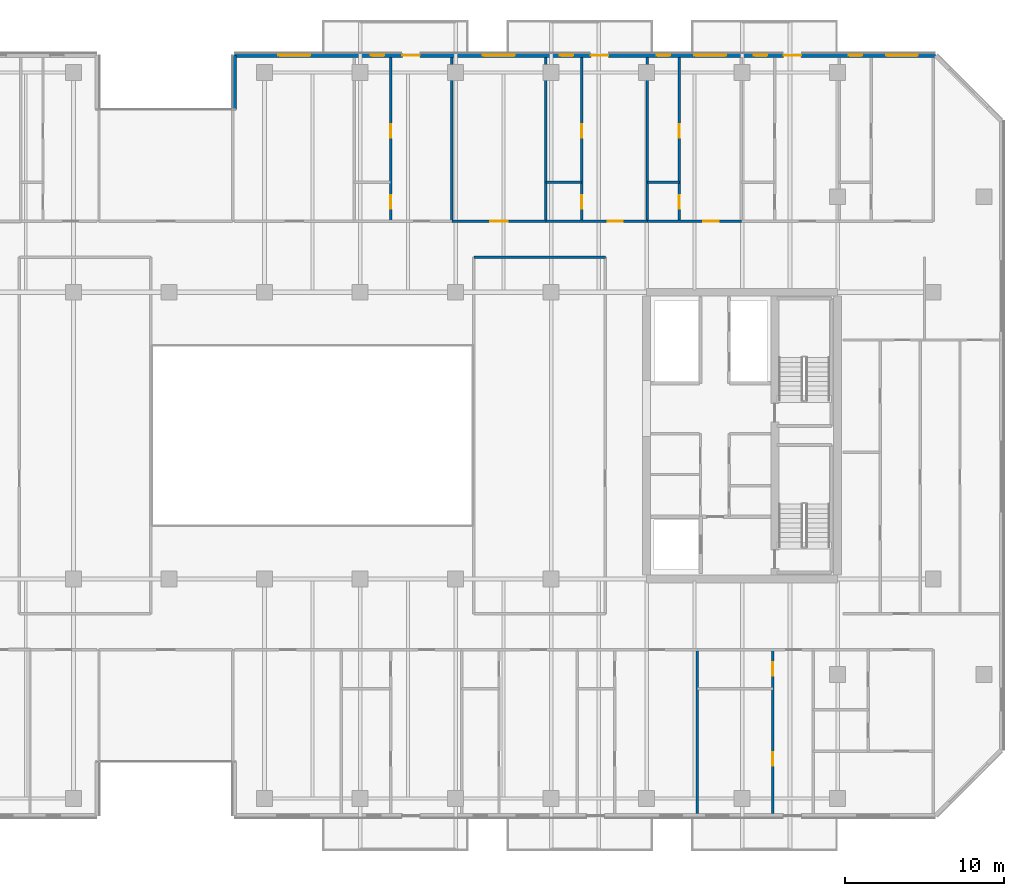
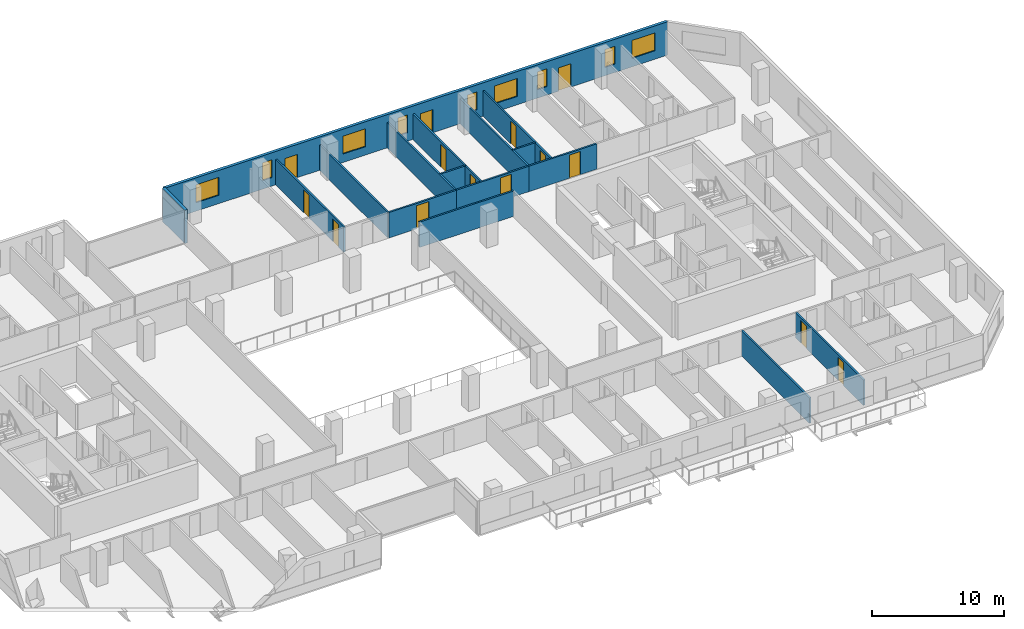
# One storey, part 14 of 23: 16 walls, 14 doors, 9 windows, 23 openings.
"""IFC4 building model written with IfcOpenShell, lengths in metres."""

from ifc_helpers import new_model, si_unit, direction, frame, frame_2d, origin, place, context, subcontext, project, spatial, rectangle, extrude, material, layer, layer_set, type_object, element, fill, save


model = new_model("IFC4")

# Units and contexts
model_context = context("Model", 3, precision=1e-05, world=origin(), true_north=direction((0.0, 1.0)))
body_context = subcontext(model_context, "Body", "Model", "MODEL_VIEW")
ifc_project = project(units=[si_unit("LENGTHUNIT", "METRE"), si_unit("AREAUNIT", "SQUARE_METRE"), si_unit("VOLUMEUNIT", "CUBIC_METRE"), si_unit("PLANEANGLEUNIT", "RADIAN"), si_unit("MASSUNIT", "GRAM", prefix="KILO")], contexts=[model_context])

# Site, building, storey
site_placement = place(None, origin())
site = spatial("IfcSite", under=ifc_project, at=site_placement, CompositionType="ELEMENT")
building_placement = place(site_placement, origin())
building = spatial("IfcBuilding", under=site, at=building_placement, Name="Tanjung Sevakor Pilgrim Tower", CompositionType="ELEMENT")
storey_placement = place(building_placement, frame((0.0, 0.0, 98.669921875)))
storey = spatial("IfcBuildingStorey", under=building, at=storey_placement, Name="L27", CompositionType="ELEMENT", Elevation=98.669921875)

# Walls
ifc_material_1 = material(Name="Concrete C40/50", Category="concrete")
ifc_layer_1 = layer(ifc_material_1, 0.14990234375)
ifc_layer_set_1 = layer_set([ifc_layer_1], Name="WT-COMP-150")
wall_type_1 = type_object("IfcWallType", Name="WT-COMP-150", PredefinedType="SOLIDWALL", material=ifc_layer_set_1)
wall_1_placement = place(storey_placement, frame((67.14990234375, 44.800048828125, 0.0), z_axis=(0.0, 0.0, 1.0), x_axis=(1.0, 0.0, 0.0)))
element("IfcWall", 1, at=wall_1_placement, inside=storey, type_object=wall_type_1, Name="L27 Partition IW-L27-030", PredefinedType="SOLIDWALL", context=body_context, shape_type="SweptSolid", body=[
    extrude(rectangle(XDim=8.25, YDim=0.14990234375, at=frame_2d((4.125, 0.0))), origin(), (0.0, 0.0, 1.0), 2.35009765625),
])
wall_2_placement = place(storey_placement, frame((81.18701171875, 9.85009765625, 0.0), z_axis=(0.0, 0.0, 1.0), x_axis=(0.0, 1.0, 0.0)))
element("IfcWall", 2, at=wall_2_placement, inside=storey, type_object=wall_type_1, Name="L27 Partition IW-L27-068", PredefinedType="SOLIDWALL", context=body_context, shape_type="SweptSolid", body=[
    extrude(rectangle(XDim=10.2998046875, YDim=0.14990234375, at=frame_2d((5.14990234375, 0.0))), origin(), (0.0, 0.0, 1.0), 2.35009765625),
])
for number, where, z_axis, x_axis, name in (
    (3, (65.761474609375, 47.050048828125, 0.0), (0.0, 0.0, 1.0), (0.0, 1.0, 0.0), "L27 Partition IW-L27-095"),
    (4, (71.6728515625, 47.050048828125, 0.0), (0.0, 0.0, 1.0), (0.0, 1.0, 0.0), "L27 Partition IW-L27-099"),
):
    element("IfcWall", number, at=place(storey_placement, frame(where, z_axis=z_axis, x_axis=x_axis)), inside=storey, type_object=wall_type_1, Name=name, PredefinedType="SOLIDWALL", context=body_context, shape_type="SweptSolid", body=[
        extrude(rectangle(XDim=10.300048828125, YDim=0.14990234375, at=frame_2d((5.14990234375, 0.0))), origin(), (0.0, 0.0, 1.0), 2.35009765625),
    ])

# Wall, opening, door
wall_3_placement = place(storey_placement, frame((65.761474609375, 47.050048828125, 0.0), z_axis=(0.0, 0.0, 1.0), x_axis=(1.0, 0.0, 0.0)))
wall_3 = element("IfcWall", 5, at=wall_3_placement, inside=storey, type_object=wall_type_1, Name="L27 Partition IW-L27-100", PredefinedType="SOLIDWALL", context=body_context, shape_type="SweptSolid", body=[
    extrude(rectangle(XDim=5.911376953125, YDim=0.14990234375, at=frame_2d((2.95556640625, 0.0))), origin(), (0.0, 0.0, 1.0), 2.35009765625),
])
opening_1_placement = place(wall_3_placement, frame((2.405517578125, 0.0, 0.0)))
opening_1 = element("IfcOpeningElement", 6, at=opening_1_placement, cuts=wall_3, Name="Opening ID-FD0", PredefinedType="OPENING", context=body_context, shape_type="SweptSolid", body=[
    extrude(rectangle(XDim=1.10009765625, YDim=2.14990234375, at=frame_2d((0.550048828125, 1.074951171875))), frame((0.0, 0.0849609375, 0.0), z_axis=(0.0, -1.0, 0.0), x_axis=(1.0, 0.0, 0.0)), (0.0, 0.0, 1.0), 0.169921875),
])
ifc_material_2 = material(Name="Fire-Rated Steel S355J2", Category="steel")
door_type_1 = type_object("IfcDoorType", Name="DT-FIRE-1100", OperationType="NOTDEFINED", PredefinedType="DOOR", material=ifc_material_2)
door_1_placement = place(opening_1_placement, origin())
door_1 = element("IfcDoor", 7, at=door_1_placement, inside=storey, type_object=door_type_1, Name="Communal Lounge Door", OperationType="SINGLE_SWING_LEFT", OverallHeight=2.14990234375, OverallWidth=1.10009765625, PredefinedType="DOOR", context=body_context, shape_type="SweptSolid", body=[
    extrude(rectangle(XDim=1.10009765625, YDim=2.14990234375, at=frame_2d((0.550048828125, 1.074951171875))), frame((0.0, 0.02490234375, 0.0), z_axis=(0.0, -1.0, 0.0), x_axis=(1.0, 0.0, 0.0)), (0.0, 0.0, 1.0), 0.050048828125),
])
fill(opening_1, door_1)

# Wall
wall_4_placement = place(storey_placement, frame((78.038818359375, 47.050048828125, 0.0), z_axis=(0.0, 0.0, 1.0), x_axis=(0.0, 1.0, 0.0)))
element("IfcWall", 8, at=wall_4_placement, inside=storey, type_object=wall_type_1, Name="L27 Partition IW-L27-101", PredefinedType="SOLIDWALL", context=body_context, shape_type="SweptSolid", body=[
    extrude(rectangle(XDim=10.300048828125, YDim=0.14990234375, at=frame_2d((5.14990234375, 0.0))), origin(), (0.0, 0.0, 1.0), 2.35009765625),
])

# Wall, opening, door
wall_5_placement = place(storey_placement, frame((71.6728515625, 47.050048828125, 0.0), z_axis=(0.0, 0.0, 1.0), x_axis=(1.0, 0.0, 0.0)))
wall_5 = element("IfcWall", 9, at=wall_5_placement, inside=storey, type_object=wall_type_1, Name="L27 Partition IW-L27-104", PredefinedType="SOLIDWALL", context=body_context, shape_type="SweptSolid", body=[
    extrude(rectangle(XDim=6.365966796875, YDim=0.14990234375, at=frame_2d((3.18310546875, 0.0))), origin(), (0.0, 0.0, 1.0), 2.35009765625),
])
opening_2_placement = place(wall_5_placement, frame((3.87158203125, 0.0, 0.0)))
opening_2 = element("IfcOpeningElement", 10, at=opening_2_placement, cuts=wall_5, Name="Opening ID-FD2", PredefinedType="OPENING", context=body_context, shape_type="SweptSolid", body=[
    extrude(rectangle(XDim=0.949951171875, YDim=2.14990234375, at=frame_2d((0.47509765625, 1.074951171875))), frame((0.0, 0.0849609375, 0.0), z_axis=(0.0, -1.0, 0.0), x_axis=(1.0, 0.0, 0.0)), (0.0, 0.0, 1.0), 0.169921875),
])
ifc_material_3 = material(Name="Fire-Rated Timber", Category="wood")
door_type_2 = type_object("IfcDoorType", Name="DT-FIRE-950", OperationType="NOTDEFINED", PredefinedType="DOOR", material=ifc_material_3)
door_2_placement = place(opening_2_placement, origin())
door_2 = element("IfcDoor", 11, at=door_2_placement, inside=storey, type_object=door_type_2, Name="Hostel Quad Entrance", OperationType="SINGLE_SWING_RIGHT", OverallHeight=2.14990234375, OverallWidth=0.949951171875, PredefinedType="DOOR", context=body_context, shape_type="SweptSolid", body=[
    extrude(rectangle(XDim=0.949951171875, YDim=2.14990234375, at=frame_2d((0.47509765625, 1.074951171875))), frame((0.0, 0.02490234375, 0.0), z_axis=(0.0, -1.0, 0.0), x_axis=(1.0, 0.0, 0.0)), (0.0, 0.0, 1.0), 0.050048828125),
])
fill(opening_2, door_2)

wall_6_placement = place(storey_placement, frame((78.038818359375, 47.050048828125, 0.0), z_axis=(0.0, 0.0, 1.0), x_axis=(1.0, 0.0, 0.0)))
wall_6 = element("IfcWall", 12, at=wall_6_placement, inside=storey, type_object=wall_type_1, Name="L27 Partition IW-L27-108", PredefinedType="SOLIDWALL", context=body_context, shape_type="SweptSolid", body=[
    extrude(rectangle(XDim=5.911376953125, YDim=0.14990234375, at=frame_2d((2.95556640625, 0.0))), origin(), (0.0, 0.0, 1.0), 2.35009765625),
])
opening_3_placement = place(wall_6_placement, frame((3.525634765625, 0.0, 0.0)))
opening_3 = element("IfcOpeningElement", 13, at=opening_3_placement, cuts=wall_6, Name="Opening ID-FD2", PredefinedType="OPENING", context=body_context, shape_type="SweptSolid", body=[
    extrude(rectangle(XDim=0.949951171875, YDim=2.14990234375, at=frame_2d((0.47509765625, 1.074951171875))), frame((0.0, 0.0849609375, 0.0), z_axis=(0.0, -1.0, 0.0), x_axis=(1.0, 0.0, 0.0)), (0.0, 0.0, 1.0), 0.169921875),
])
door_3_placement = place(opening_3_placement, origin())
door_3 = element("IfcDoor", 14, at=door_3_placement, inside=storey, type_object=door_type_2, Name="Hostel Quad Entrance", OperationType="SINGLE_SWING_LEFT", OverallHeight=2.14990234375, OverallWidth=0.949951171875, PredefinedType="DOOR", context=body_context, shape_type="SweptSolid", body=[
    extrude(rectangle(XDim=0.949951171875, YDim=2.14990234375, at=frame_2d((0.47509765625, 1.074951171875))), frame((0.0, 0.02490234375, 0.0), z_axis=(0.0, -1.0, 0.0), x_axis=(1.0, 0.0, 0.0)), (0.0, 0.0, 1.0), 0.050048828125),
])
fill(opening_3, door_3)

# Wall, openings, doors, windows
ifc_material_4 = material(Name="Precast concrete C45/55", Category="concrete")
ifc_layer_2 = layer(ifc_material_4, 0.25)
ifc_layer_set_2 = layer_set([ifc_layer_2], Name="WT-EW-STN3")
wall_type_2 = type_object("IfcWallType", Name="WT-EW-STN3", PredefinedType="SOLIDWALL", material=ifc_layer_set_2)
wall_7_placement = place(storey_placement, frame((96.148193359375, 57.47509765625, 0.0), z_axis=(0.0, 0.0, 1.0), x_axis=(-1.0, 0.0, 0.0)))
wall_7 = element("IfcWall", 15, at=wall_7_placement, inside=storey, type_object=wall_type_2, Name="L27 MAIN Exterior Wall 9", PredefinedType="SOLIDWALL", context=body_context, shape_type="SweptSolid", body=[
    extrude(rectangle(XDim=44.023193359375, YDim=0.25, at=frame_2d((22.01171875, 0.0))), origin(), (0.0, 0.0, 1.0), 3.080078125),
])
opening_4_placement = place(wall_7_placement, frame((32.398193359375, 0.0, 0.0)))
opening_4 = element("IfcOpeningElement", 16, at=opening_4_placement, cuts=wall_7, Name="Opening ED-BAL-1100", PredefinedType="OPENING", context=body_context, shape_type="SweptSolid", body=[
    extrude(rectangle(XDim=1.10009765625, YDim=2.14990234375, at=frame_2d((0.550048828125, 1.074951171875))), frame((0.0, 0.135009765625, 0.0), z_axis=(0.0, -1.0, 0.0), x_axis=(1.0, 0.0, 0.0)), (0.0, 0.0, 1.0), 0.27001953125),
])
opening_5_placement = place(wall_7_placement, frame((20.548095703125, 0.0, 0.0)))
opening_5 = element("IfcOpeningElement", 17, at=opening_5_placement, cuts=wall_7, Name="Opening ED-BAL-1100", PredefinedType="OPENING", context=body_context, shape_type="SweptSolid", body=[
    extrude(rectangle(XDim=1.10009765625, YDim=2.14990234375, at=frame_2d((0.550048828125, 1.074951171875))), frame((0.0, 0.135009765625, 0.0), z_axis=(0.0, -1.0, 0.0), x_axis=(1.0, 0.0, 0.0)), (0.0, 0.0, 1.0), 0.27001953125),
])
opening_6_placement = place(wall_7_placement, frame((8.4482421875, 0.0, 0.0)))
opening_6 = element("IfcOpeningElement", 18, at=opening_6_placement, cuts=wall_7, Name="Opening ED-BAL-1100", PredefinedType="OPENING", context=body_context, shape_type="SweptSolid", body=[
    extrude(rectangle(XDim=1.10009765625, YDim=2.14990234375, at=frame_2d((0.550048828125, 1.074951171875))), frame((0.0, 0.135009765625, 0.0), z_axis=(0.0, -1.0, 0.0), x_axis=(1.0, 0.0, 0.0)), (0.0, 0.0, 1.0), 0.27001953125),
])
opening_7_placement = place(wall_7_placement, frame((39.27685546875, 0.0, 0.780029296875)))
opening_7 = element("IfcOpeningElement", 19, at=opening_7_placement, cuts=wall_7, Name="Opening WN-Z2-1660", PredefinedType="OPENING", context=body_context, shape_type="SweptSolid", body=[
    extrude(rectangle(XDim=2.0, YDim=1.659912109375, at=frame_2d((1.0, 0.830078125))), frame((0.0, 0.135009765625, 0.0), z_axis=(0.0, -1.0, 0.0), x_axis=(1.0, 0.0, 0.0)), (0.0, 0.0, 1.0), 0.27001953125),
])
opening_8_placement = place(wall_7_placement, frame((34.621826171875, 0.0, 0.780029296875)))
opening_8 = element("IfcOpeningElement", 20, at=opening_8_placement, cuts=wall_7, Name="Opening WN-SLM", PredefinedType="OPENING", context=body_context, shape_type="SweptSolid", body=[
    extrude(rectangle(XDim=0.85009765625, YDim=1.64990234375, at=frame_2d((0.425048828125, 0.824951171875))), frame((0.0, 0.135009765625, 0.0), z_axis=(0.0, -1.0, 0.0), x_axis=(1.0, 0.0, 0.0)), (0.0, 0.0, 1.0), 0.27001953125),
])
opening_9_placement = place(wall_7_placement, frame((26.43115234375, 0.0, 0.780029296875)))
opening_9 = element("IfcOpeningElement", 21, at=opening_9_placement, cuts=wall_7, Name="Opening WN-Z2-1660", PredefinedType="OPENING", context=body_context, shape_type="SweptSolid", body=[
    extrude(rectangle(XDim=2.0, YDim=1.659912109375, at=frame_2d((1.0, 0.830078125))), frame((0.0, 0.135009765625, 0.0), z_axis=(0.0, -1.0, 0.0), x_axis=(1.0, 0.0, 0.0)), (0.0, 0.0, 1.0), 0.27001953125),
])
opening_10_placement = place(wall_7_placement, frame((22.7568359375, 0.0, 0.780029296875)))
opening_10 = element("IfcOpeningElement", 22, at=opening_10_placement, cuts=wall_7, Name="Opening WN-SLM", PredefinedType="OPENING", context=body_context, shape_type="SweptSolid", body=[
    extrude(rectangle(XDim=0.85009765625, YDim=1.64990234375, at=frame_2d((0.425048828125, 0.824951171875))), frame((0.0, 0.135009765625, 0.0), z_axis=(0.0, -1.0, 0.0), x_axis=(1.0, 0.0, 0.0)), (0.0, 0.0, 1.0), 0.27001953125),
])
opening_11_placement = place(wall_7_placement, frame((16.66943359375, 0.0, 0.780029296875)))
opening_11 = element("IfcOpeningElement", 23, at=opening_11_placement, cuts=wall_7, Name="Opening WN-SLM", PredefinedType="OPENING", context=body_context, shape_type="SweptSolid", body=[
    extrude(rectangle(XDim=0.85009765625, YDim=1.64990234375, at=frame_2d((0.425048828125, 0.824951171875))), frame((0.0, 0.135009765625, 0.0), z_axis=(0.0, -1.0, 0.0), x_axis=(1.0, 0.0, 0.0)), (0.0, 0.0, 1.0), 0.27001953125),
])
opening_12_placement = place(wall_7_placement, frame((13.158935546875, 0.0, 0.780029296875)))
opening_12 = element("IfcOpeningElement", 24, at=opening_12_placement, cuts=wall_7, Name="Opening WN-Z2-1660", PredefinedType="OPENING", context=body_context, shape_type="SweptSolid", body=[
    extrude(rectangle(XDim=2.0, YDim=1.659912109375, at=frame_2d((1.0, 0.830078125))), frame((0.0, 0.135009765625, 0.0), z_axis=(0.0, -1.0, 0.0), x_axis=(1.0, 0.0, 0.0)), (0.0, 0.0, 1.0), 0.27001953125),
])
opening_13_placement = place(wall_7_placement, frame((10.5595703125, 0.0, 0.780029296875)))
opening_13 = element("IfcOpeningElement", 25, at=opening_13_placement, cuts=wall_7, Name="Opening WN-SLM", PredefinedType="OPENING", context=body_context, shape_type="SweptSolid", body=[
    extrude(rectangle(XDim=0.85009765625, YDim=1.64990234375, at=frame_2d((0.425048828125, 0.824951171875))), frame((0.0, 0.135009765625, 0.0), z_axis=(0.0, -1.0, 0.0), x_axis=(1.0, 0.0, 0.0)), (0.0, 0.0, 1.0), 0.27001953125),
])
opening_14_placement = place(wall_7_placement, frame((4.619384765625, 0.0, 0.780029296875)))
opening_14 = element("IfcOpeningElement", 26, at=opening_14_placement, cuts=wall_7, Name="Opening WN-SLM", PredefinedType="OPENING", context=body_context, shape_type="SweptSolid", body=[
    extrude(rectangle(XDim=0.85009765625, YDim=1.64990234375, at=frame_2d((0.425048828125, 0.824951171875))), frame((0.0, 0.135009765625, 0.0), z_axis=(0.0, -1.0, 0.0), x_axis=(1.0, 0.0, 0.0)), (0.0, 0.0, 1.0), 0.27001953125),
])
opening_15_placement = place(wall_7_placement, frame((1.10888671875, 0.0, 0.780029296875)))
opening_15 = element("IfcOpeningElement", 27, at=opening_15_placement, cuts=wall_7, Name="Opening WN-Z2-1660", PredefinedType="OPENING", context=body_context, shape_type="SweptSolid", body=[
    extrude(rectangle(XDim=2.0, YDim=1.659912109375, at=frame_2d((1.0, 0.830078125))), frame((0.0, 0.135009765625, 0.0), z_axis=(0.0, -1.0, 0.0), x_axis=(1.0, 0.0, 0.0)), (0.0, 0.0, 1.0), 0.27001953125),
])
ifc_material_5 = material(Name="Anodised Aluminium and Laminated Glass", Category="aluminium")
door_type_3 = type_object("IfcDoorType", Name="DTYP-ED-BAL-1100", OperationType="NOTDEFINED", PredefinedType="DOOR", material=ifc_material_5)
door_4_placement = place(opening_4_placement, frame((1.10009765625, 0.0, 0.0), z_axis=(0.0, 0.0, 1.0), x_axis=(-1.0, 0.0, 0.0)))
door_4 = element("IfcDoor", 28, at=door_4_placement, inside=storey, type_object=door_type_3, Name="L27 Balcony Door MAIN-N2", OperationType="SINGLE_SWING_RIGHT", OverallHeight=2.14990234375, OverallWidth=1.10009765625, PredefinedType="DOOR", context=body_context, shape_type="SweptSolid", body=[
    extrude(rectangle(XDim=1.10009765625, YDim=2.14990234375, at=frame_2d((0.550048828125, 1.074951171875))), frame((0.0, 0.02490234375, 0.0), z_axis=(0.0, -1.0, 0.0), x_axis=(1.0, 0.0, 0.0)), (0.0, 0.0, 1.0), 0.050048828125),
])
fill(opening_4, door_4)
door_5_placement = place(opening_5_placement, frame((1.10009765625, 0.0, 0.0), z_axis=(0.0, 0.0, 1.0), x_axis=(-1.0, 0.0, 0.0)))
door_5 = element("IfcDoor", 29, at=door_5_placement, inside=storey, type_object=door_type_3, Name="L27 Balcony Door MAIN-N3", OperationType="SINGLE_SWING_LEFT", OverallHeight=2.14990234375, OverallWidth=1.10009765625, PredefinedType="DOOR", context=body_context, shape_type="SweptSolid", body=[
    extrude(rectangle(XDim=1.10009765625, YDim=2.14990234375, at=frame_2d((0.550048828125, 1.074951171875))), frame((0.0, 0.02490234375, 0.0), z_axis=(0.0, -1.0, 0.0), x_axis=(1.0, 0.0, 0.0)), (0.0, 0.0, 1.0), 0.050048828125),
])
fill(opening_5, door_5)
door_6_placement = place(opening_6_placement, frame((1.10009765625, 0.0, 0.0), z_axis=(0.0, 0.0, 1.0), x_axis=(-1.0, 0.0, 0.0)))
door_6 = element("IfcDoor", 30, at=door_6_placement, inside=storey, type_object=door_type_3, Name="L27 Balcony Door MAIN-N4", OperationType="SINGLE_SWING_RIGHT", OverallHeight=2.14990234375, OverallWidth=1.10009765625, PredefinedType="DOOR", context=body_context, shape_type="SweptSolid", body=[
    extrude(rectangle(XDim=1.10009765625, YDim=2.14990234375, at=frame_2d((0.550048828125, 1.074951171875))), frame((0.0, 0.02490234375, 0.0), z_axis=(0.0, -1.0, 0.0), x_axis=(1.0, 0.0, 0.0)), (0.0, 0.0, 1.0), 0.050048828125),
])
fill(opening_6, door_6)
ifc_material_6 = material(Name="Thermally Broken Aluminium and Low-E Glass", Category="aluminium")
window_type_1 = type_object("IfcWindowType", Name="WTYP-WN-SLM", PartitioningType="SINGLE_PANEL", PredefinedType="WINDOW", material=ifc_material_6)
window_1_placement = place(opening_8_placement, origin())
window_1 = element("IfcWindow", 31, at=window_1_placement, inside=storey, type_object=window_type_1, Name="L27 Facade Window 02", OverallHeight=1.64990234375, OverallWidth=0.85009765625, PartitioningType="SINGLE_PANEL", PredefinedType="WINDOW", context=body_context, shape_type="SweptSolid", body=[
    extrude(rectangle(XDim=0.85009765625, YDim=1.64990234375, at=frame_2d((0.425048828125, 0.824951171875))), frame((0.0, 0.030029296875, 0.0), z_axis=(0.0, -1.0, 0.0), x_axis=(1.0, 0.0, 0.0)), (0.0, 0.0, 1.0), 0.06005859375),
])
fill(opening_8, window_1)
window_2_placement = place(opening_10_placement, origin())
window_2 = element("IfcWindow", 32, at=window_2_placement, inside=storey, type_object=window_type_1, Name="L27 Facade Window 04", OverallHeight=1.64990234375, OverallWidth=0.85009765625, PartitioningType="SINGLE_PANEL", PredefinedType="WINDOW", context=body_context, shape_type="SweptSolid", body=[
    extrude(rectangle(XDim=0.85009765625, YDim=1.64990234375, at=frame_2d((0.425048828125, 0.824951171875))), frame((0.0, 0.030029296875, 0.0), z_axis=(0.0, -1.0, 0.0), x_axis=(1.0, 0.0, 0.0)), (0.0, 0.0, 1.0), 0.06005859375),
])
fill(opening_10, window_2)
window_3_placement = place(opening_11_placement, origin())
window_3 = element("IfcWindow", 33, at=window_3_placement, inside=storey, type_object=window_type_1, Name="L27 Facade Window 05", OverallHeight=1.64990234375, OverallWidth=0.85009765625, PartitioningType="SINGLE_PANEL", PredefinedType="WINDOW", context=body_context, shape_type="SweptSolid", body=[
    extrude(rectangle(XDim=0.85009765625, YDim=1.64990234375, at=frame_2d((0.425048828125, 0.824951171875))), frame((0.0, 0.030029296875, 0.0), z_axis=(0.0, -1.0, 0.0), x_axis=(1.0, 0.0, 0.0)), (0.0, 0.0, 1.0), 0.06005859375),
])
fill(opening_11, window_3)
window_4_placement = place(opening_13_placement, origin())
window_4 = element("IfcWindow", 34, at=window_4_placement, inside=storey, type_object=window_type_1, Name="L27 Facade Window 07", OverallHeight=1.64990234375, OverallWidth=0.85009765625, PartitioningType="SINGLE_PANEL", PredefinedType="WINDOW", context=body_context, shape_type="SweptSolid", body=[
    extrude(rectangle(XDim=0.85009765625, YDim=1.64990234375, at=frame_2d((0.425048828125, 0.824951171875))), frame((0.0, 0.030029296875, 0.0), z_axis=(0.0, -1.0, 0.0), x_axis=(1.0, 0.0, 0.0)), (0.0, 0.0, 1.0), 0.06005859375),
])
fill(opening_13, window_4)
window_5_placement = place(opening_14_placement, origin())
window_5 = element("IfcWindow", 35, at=window_5_placement, inside=storey, type_object=window_type_1, Name="L27 Facade Window 08", OverallHeight=1.64990234375, OverallWidth=0.85009765625, PartitioningType="SINGLE_PANEL", PredefinedType="WINDOW", context=body_context, shape_type="SweptSolid", body=[
    extrude(rectangle(XDim=0.85009765625, YDim=1.64990234375, at=frame_2d((0.425048828125, 0.824951171875))), frame((0.0, 0.030029296875, 0.0), z_axis=(0.0, -1.0, 0.0), x_axis=(1.0, 0.0, 0.0)), (0.0, 0.0, 1.0), 0.06005859375),
])
fill(opening_14, window_5)
ifc_material_7 = material(Name="Thermally Broken Aluminium and Low-E Glass", Category="aluminium")
window_type_2 = type_object("IfcWindowType", Name="WTYP-WN-Z2-1660", PartitioningType="DOUBLE_PANEL_VERTICAL", PredefinedType="WINDOW", material=ifc_material_7)
window_6_placement = place(opening_7_placement, origin())
window_6 = element("IfcWindow", 36, at=window_6_placement, inside=storey, type_object=window_type_2, Name="L27 Facade Window 01", OverallHeight=1.659912109375, OverallWidth=2.0, PartitioningType="SINGLE_PANEL", PredefinedType="WINDOW", context=body_context, shape_type="SweptSolid", body=[
    extrude(rectangle(XDim=2.0, YDim=1.659912109375, at=frame_2d((1.0, 0.830078125))), frame((0.0, 0.030029296875, 0.0), z_axis=(0.0, -1.0, 0.0), x_axis=(1.0, 0.0, 0.0)), (0.0, 0.0, 1.0), 0.06005859375),
])
fill(opening_7, window_6)
window_7_placement = place(opening_9_placement, origin())
window_7 = element("IfcWindow", 37, at=window_7_placement, inside=storey, type_object=window_type_2, Name="L27 Facade Window 03", OverallHeight=1.659912109375, OverallWidth=2.0, PartitioningType="SINGLE_PANEL", PredefinedType="WINDOW", context=body_context, shape_type="SweptSolid", body=[
    extrude(rectangle(XDim=2.0, YDim=1.659912109375, at=frame_2d((1.0, 0.830078125))), frame((0.0, 0.030029296875, 0.0), z_axis=(0.0, -1.0, 0.0), x_axis=(1.0, 0.0, 0.0)), (0.0, 0.0, 1.0), 0.06005859375),
])
fill(opening_9, window_7)
window_8_placement = place(opening_12_placement, origin())
window_8 = element("IfcWindow", 38, at=window_8_placement, inside=storey, type_object=window_type_2, Name="L27 Facade Window 06", OverallHeight=1.659912109375, OverallWidth=2.0, PartitioningType="SINGLE_PANEL", PredefinedType="WINDOW", context=body_context, shape_type="SweptSolid", body=[
    extrude(rectangle(XDim=2.0, YDim=1.659912109375, at=frame_2d((1.0, 0.830078125))), frame((0.0, 0.030029296875, 0.0), z_axis=(0.0, -1.0, 0.0), x_axis=(1.0, 0.0, 0.0)), (0.0, 0.0, 1.0), 0.06005859375),
])
fill(opening_12, window_8)
window_9_placement = place(opening_15_placement, origin())
window_9 = element("IfcWindow", 39, at=window_9_placement, inside=storey, type_object=window_type_2, Name="L27 Facade Window 09", OverallHeight=1.659912109375, OverallWidth=2.0, PartitioningType="SINGLE_PANEL", PredefinedType="WINDOW", context=body_context, shape_type="SweptSolid", body=[
    extrude(rectangle(XDim=2.0, YDim=1.659912109375, at=frame_2d((1.0, 0.830078125))), frame((0.0, 0.030029296875, 0.0), z_axis=(0.0, -1.0, 0.0), x_axis=(1.0, 0.0, 0.0)), (0.0, 0.0, 1.0), 0.06005859375),
])
fill(opening_15, window_9)

# Wall
wall_8_placement = place(storey_placement, frame((52.125, 57.47509765625, 0.0), z_axis=(0.0, 0.0, 1.0), x_axis=(0.0, -1.0, 0.0)))
element("IfcWall", 40, at=wall_8_placement, inside=storey, type_object=wall_type_2, Name="L27 MAIN Exterior Wall 10", PredefinedType="SOLIDWALL", context=body_context, shape_type="SweptSolid", body=[
    extrude(rectangle(XDim=3.400146484375, YDim=0.25, at=frame_2d((1.7001953125, 0.0))), origin(), (0.0, 0.0, 1.0), 3.080078125),
])

# Wall, openings, doors
ifc_material_8 = material(Name="Gypsum Board Partition", Category="gypsum board")
ifc_layer_3 = layer(ifc_material_8, 0.14990234375)
ifc_layer_set_3 = layer_set([ifc_layer_3], Name="WT-PART-150")
wall_type_3 = type_object("IfcWallType", Name="WT-PART-150", PredefinedType="PARTITIONING", material=ifc_layer_set_3)
wall_9_placement = place(storey_placement, frame((85.919921875, 9.85009765625, 0.0), z_axis=(0.0, 0.0, 1.0), x_axis=(0.0, 1.0, 0.0)))
wall_9 = element("IfcWall", 41, at=wall_9_placement, inside=storey, type_object=wall_type_3, Name="L27 Partition IW-L27-074", PredefinedType="PARTITIONING", context=body_context, shape_type="SweptSolid", body=[
    extrude(rectangle(XDim=10.2998046875, YDim=0.14990234375, at=frame_2d((5.14990234375, 0.0))), origin(), (0.0, 0.0, 1.0), 2.35009765625),
])
opening_16_placement = place(wall_9_placement, frame((3.0, 0.0, 0.0)))
opening_16 = element("IfcOpeningElement", 42, at=opening_16_placement, cuts=wall_9, Name="Opening ID-WC1", PredefinedType="OPENING", context=body_context, shape_type="SweptSolid", body=[
    extrude(rectangle(XDim=0.85009765625, YDim=2.10009765625, at=frame_2d((0.425048828125, 1.050048828125))), frame((0.0, 0.0849609375, 0.0), z_axis=(0.0, -1.0, 0.0), x_axis=(1.0, 0.0, 0.0)), (0.0, 0.0, 1.0), 0.169921875),
])
opening_17_placement = place(wall_9_placement, frame((8.64990234375, 0.0, 0.0)))
opening_17 = element("IfcOpeningElement", 43, at=opening_17_placement, cuts=wall_9, Name="Opening ID-WC1", PredefinedType="OPENING", context=body_context, shape_type="SweptSolid", body=[
    extrude(rectangle(XDim=0.85009765625, YDim=2.10009765625, at=frame_2d((0.425048828125, 1.050048828125))), frame((0.0, 0.0849609375, 0.0), z_axis=(0.0, -1.0, 0.0), x_axis=(1.0, 0.0, 0.0)), (0.0, 0.0, 1.0), 0.169921875),
])
ifc_material_9 = material(Name="Moisture-Resistant Timber", Category="wood")
door_type_4 = type_object("IfcDoorType", Name="DT-INT-850", OperationType="NOTDEFINED", PredefinedType="DOOR", material=ifc_material_9)
door_7_placement = place(opening_16_placement, origin())
door_7 = element("IfcDoor", 44, at=door_7_placement, inside=storey, type_object=door_type_4, Name="Study Nook Door", OperationType="SINGLE_SWING_RIGHT", OverallHeight=2.10009765625, OverallWidth=0.85009765625, PredefinedType="DOOR", context=body_context, shape_type="SweptSolid", body=[
    extrude(rectangle(XDim=0.85009765625, YDim=2.10009765625, at=frame_2d((0.425048828125, 1.050048828125))), frame((0.0, 0.02490234375, 0.0), z_axis=(0.0, -1.0, 0.0), x_axis=(1.0, 0.0, 0.0)), (0.0, 0.0, 1.0), 0.050048828125),
])
fill(opening_16, door_7)
door_8_placement = place(opening_17_placement, origin())
door_8 = element("IfcDoor", 45, at=door_8_placement, inside=storey, type_object=door_type_4, Name="Bathroom Door", OperationType="SINGLE_SWING_LEFT", OverallHeight=2.10009765625, OverallWidth=0.85009765625, PredefinedType="DOOR", context=body_context, shape_type="SweptSolid", body=[
    extrude(rectangle(XDim=0.85009765625, YDim=2.10009765625, at=frame_2d((0.425048828125, 1.050048828125))), frame((0.0, 0.02490234375, 0.0), z_axis=(0.0, -1.0, 0.0), x_axis=(1.0, 0.0, 0.0)), (0.0, 0.0, 1.0), 0.050048828125),
])
fill(opening_17, door_8)

wall_10_placement = place(storey_placement, frame((61.919921875, 47.050048828125, 0.0), z_axis=(0.0, 0.0, 1.0), x_axis=(0.0, 1.0, 0.0)))
wall_10 = element("IfcWall", 46, at=wall_10_placement, inside=storey, type_object=wall_type_3, Name="L27 Partition IW-L27-097", PredefinedType="PARTITIONING", context=body_context, shape_type="SweptSolid", body=[
    extrude(rectangle(XDim=10.300048828125, YDim=0.14990234375, at=frame_2d((5.14990234375, 0.0))), origin(), (0.0, 0.0, 1.0), 2.35009765625),
])
opening_18_placement = place(wall_10_placement, frame((0.800048828125, 0.0, 0.0)))
opening_18 = element("IfcOpeningElement", 47, at=opening_18_placement, cuts=wall_10, Name="Opening ID-WC1", PredefinedType="OPENING", context=body_context, shape_type="SweptSolid", body=[
    extrude(rectangle(XDim=0.85009765625, YDim=2.10009765625, at=frame_2d((0.425048828125, 1.050048828125))), frame((0.0, 0.0849609375, 0.0), z_axis=(0.0, -1.0, 0.0), x_axis=(1.0, 0.0, 0.0)), (0.0, 0.0, 1.0), 0.169921875),
])
opening_19_placement = place(wall_10_placement, frame((5.25, 0.0, 0.0)))
opening_19 = element("IfcOpeningElement", 48, at=opening_19_placement, cuts=wall_10, Name="Opening ID-WC1", PredefinedType="OPENING", context=body_context, shape_type="SweptSolid", body=[
    extrude(rectangle(XDim=0.85009765625, YDim=2.10009765625, at=frame_2d((0.425048828125, 1.050048828125))), frame((0.0, 0.0849609375, 0.0), z_axis=(0.0, -1.0, 0.0), x_axis=(1.0, 0.0, 0.0)), (0.0, 0.0, 1.0), 0.169921875),
])
door_9_placement = place(opening_18_placement, origin())
door_9 = element("IfcDoor", 49, at=door_9_placement, inside=storey, type_object=door_type_4, Name="Bathroom Door", OperationType="SINGLE_SWING_RIGHT", OverallHeight=2.10009765625, OverallWidth=0.85009765625, PredefinedType="DOOR", context=body_context, shape_type="SweptSolid", body=[
    extrude(rectangle(XDim=0.85009765625, YDim=2.10009765625, at=frame_2d((0.425048828125, 1.050048828125))), frame((0.0, 0.02490234375, 0.0), z_axis=(0.0, -1.0, 0.0), x_axis=(1.0, 0.0, 0.0)), (0.0, 0.0, 1.0), 0.050048828125),
])
fill(opening_18, door_9)
door_10_placement = place(opening_19_placement, origin())
door_10 = element("IfcDoor", 50, at=door_10_placement, inside=storey, type_object=door_type_4, Name="Study Nook Door", OperationType="SINGLE_SWING_LEFT", OverallHeight=2.10009765625, OverallWidth=0.85009765625, PredefinedType="DOOR", context=body_context, shape_type="SweptSolid", body=[
    extrude(rectangle(XDim=0.85009765625, YDim=2.10009765625, at=frame_2d((0.425048828125, 1.050048828125))), frame((0.0, 0.02490234375, 0.0), z_axis=(0.0, -1.0, 0.0), x_axis=(1.0, 0.0, 0.0)), (0.0, 0.0, 1.0), 0.050048828125),
])
fill(opening_19, door_10)

# Wall
wall_11_placement = place(storey_placement, frame((71.6728515625, 49.5, 0.0), z_axis=(0.0, 0.0, 1.0), x_axis=(1.0, 0.0, 0.0)))
element("IfcWall", 51, at=wall_11_placement, inside=storey, type_object=wall_type_3, Name="L27 Partition IW-L27-102", PredefinedType="PARTITIONING", context=body_context, shape_type="SweptSolid", body=[
    extrude(rectangle(XDim=2.2470703125, YDim=0.14990234375, at=frame_2d((1.12353515625, 0.0))), origin(), (0.0, 0.0, 1.0), 2.35009765625),
])

# Wall, openings, doors
wall_12_placement = place(storey_placement, frame((73.919921875, 47.050048828125, 0.0), z_axis=(0.0, 0.0, 1.0), x_axis=(0.0, 1.0, 0.0)))
wall_12 = element("IfcWall", 52, at=wall_12_placement, inside=storey, type_object=wall_type_3, Name="L27 Partition IW-L27-103", PredefinedType="PARTITIONING", context=body_context, shape_type="SweptSolid", body=[
    extrude(rectangle(XDim=10.300048828125, YDim=0.14990234375, at=frame_2d((5.14990234375, 0.0))), origin(), (0.0, 0.0, 1.0), 2.35009765625),
])
opening_20_placement = place(wall_12_placement, frame((0.800048828125, 0.0, 0.0)))
opening_20 = element("IfcOpeningElement", 53, at=opening_20_placement, cuts=wall_12, Name="Opening ID-WC1", PredefinedType="OPENING", context=body_context, shape_type="SweptSolid", body=[
    extrude(rectangle(XDim=0.85009765625, YDim=2.10009765625, at=frame_2d((0.425048828125, 1.050048828125))), frame((0.0, 0.0849609375, 0.0), z_axis=(0.0, -1.0, 0.0), x_axis=(1.0, 0.0, 0.0)), (0.0, 0.0, 1.0), 0.169921875),
])
opening_21_placement = place(wall_12_placement, frame((5.25, 0.0, 0.0)))
opening_21 = element("IfcOpeningElement", 54, at=opening_21_placement, cuts=wall_12, Name="Opening ID-WC1", PredefinedType="OPENING", context=body_context, shape_type="SweptSolid", body=[
    extrude(rectangle(XDim=0.85009765625, YDim=2.10009765625, at=frame_2d((0.425048828125, 1.050048828125))), frame((0.0, 0.0849609375, 0.0), z_axis=(0.0, -1.0, 0.0), x_axis=(1.0, 0.0, 0.0)), (0.0, 0.0, 1.0), 0.169921875),
])
door_11_placement = place(opening_20_placement, origin())
door_11 = element("IfcDoor", 55, at=door_11_placement, inside=storey, type_object=door_type_4, Name="Bathroom Door", OperationType="SINGLE_SWING_RIGHT", OverallHeight=2.10009765625, OverallWidth=0.85009765625, PredefinedType="DOOR", context=body_context, shape_type="SweptSolid", body=[
    extrude(rectangle(XDim=0.85009765625, YDim=2.10009765625, at=frame_2d((0.425048828125, 1.050048828125))), frame((0.0, 0.02490234375, 0.0), z_axis=(0.0, -1.0, 0.0), x_axis=(1.0, 0.0, 0.0)), (0.0, 0.0, 1.0), 0.050048828125),
])
fill(opening_20, door_11)
door_12_placement = place(opening_21_placement, origin())
door_12 = element("IfcDoor", 56, at=door_12_placement, inside=storey, type_object=door_type_4, Name="Study Nook Door", OperationType="SINGLE_SWING_LEFT", OverallHeight=2.10009765625, OverallWidth=0.85009765625, PredefinedType="DOOR", context=body_context, shape_type="SweptSolid", body=[
    extrude(rectangle(XDim=0.85009765625, YDim=2.10009765625, at=frame_2d((0.425048828125, 1.050048828125))), frame((0.0, 0.02490234375, 0.0), z_axis=(0.0, -1.0, 0.0), x_axis=(1.0, 0.0, 0.0)), (0.0, 0.0, 1.0), 0.050048828125),
])
fill(opening_21, door_12)

# Wall
wall_13_placement = place(storey_placement, frame((78.038818359375, 49.5, 0.0), z_axis=(0.0, 0.0, 1.0), x_axis=(1.0, 0.0, 0.0)))
element("IfcWall", 57, at=wall_13_placement, inside=storey, type_object=wall_type_3, Name="L27 Partition IW-L27-106", PredefinedType="PARTITIONING", context=body_context, shape_type="SweptSolid", body=[
    extrude(rectangle(XDim=2.009765625, YDim=0.14990234375, at=frame_2d((1.0048828125, 0.0))), origin(), (0.0, 0.0, 1.0), 2.35009765625),
])

# Wall, openings, doors
wall_14_placement = place(storey_placement, frame((80.048583984375, 47.050048828125, 0.0), z_axis=(0.0, 0.0, 1.0), x_axis=(0.0, 1.0, 0.0)))
wall_14 = element("IfcWall", 58, at=wall_14_placement, inside=storey, type_object=wall_type_3, Name="L27 Partition IW-L27-107", PredefinedType="PARTITIONING", context=body_context, shape_type="SweptSolid", body=[
    extrude(rectangle(XDim=10.300048828125, YDim=0.14990234375, at=frame_2d((5.14990234375, 0.0))), origin(), (0.0, 0.0, 1.0), 2.35009765625),
])
opening_22_placement = place(wall_14_placement, frame((0.800048828125, 0.0, 0.0)))
opening_22 = element("IfcOpeningElement", 59, at=opening_22_placement, cuts=wall_14, Name="Opening ID-WC1", PredefinedType="OPENING", context=body_context, shape_type="SweptSolid", body=[
    extrude(rectangle(XDim=0.85009765625, YDim=2.10009765625, at=frame_2d((0.425048828125, 1.050048828125))), frame((0.0, 0.0849609375, 0.0), z_axis=(0.0, -1.0, 0.0), x_axis=(1.0, 0.0, 0.0)), (0.0, 0.0, 1.0), 0.169921875),
])
opening_23_placement = place(wall_14_placement, frame((5.25, 0.0, 0.0)))
opening_23 = element("IfcOpeningElement", 60, at=opening_23_placement, cuts=wall_14, Name="Opening ID-WC1", PredefinedType="OPENING", context=body_context, shape_type="SweptSolid", body=[
    extrude(rectangle(XDim=0.85009765625, YDim=2.10009765625, at=frame_2d((0.425048828125, 1.050048828125))), frame((0.0, 0.0849609375, 0.0), z_axis=(0.0, -1.0, 0.0), x_axis=(1.0, 0.0, 0.0)), (0.0, 0.0, 1.0), 0.169921875),
])
door_13_placement = place(opening_22_placement, origin())
door_13 = element("IfcDoor", 61, at=door_13_placement, inside=storey, type_object=door_type_4, Name="Bathroom Door", OperationType="SINGLE_SWING_LEFT", OverallHeight=2.10009765625, OverallWidth=0.85009765625, PredefinedType="DOOR", context=body_context, shape_type="SweptSolid", body=[
    extrude(rectangle(XDim=0.85009765625, YDim=2.10009765625, at=frame_2d((0.425048828125, 1.050048828125))), frame((0.0, 0.02490234375, 0.0), z_axis=(0.0, -1.0, 0.0), x_axis=(1.0, 0.0, 0.0)), (0.0, 0.0, 1.0), 0.050048828125),
])
fill(opening_22, door_13)
door_14_placement = place(opening_23_placement, origin())
door_14 = element("IfcDoor", 62, at=door_14_placement, inside=storey, type_object=door_type_4, Name="Study Nook Door", OperationType="SINGLE_SWING_RIGHT", OverallHeight=2.10009765625, OverallWidth=0.85009765625, PredefinedType="DOOR", context=body_context, shape_type="SweptSolid", body=[
    extrude(rectangle(XDim=0.85009765625, YDim=2.10009765625, at=frame_2d((0.425048828125, 1.050048828125))), frame((0.0, 0.02490234375, 0.0), z_axis=(0.0, -1.0, 0.0), x_axis=(1.0, 0.0, 0.0)), (0.0, 0.0, 1.0), 0.050048828125),
])
fill(opening_23, door_14)

save(model, "model.ifc")
